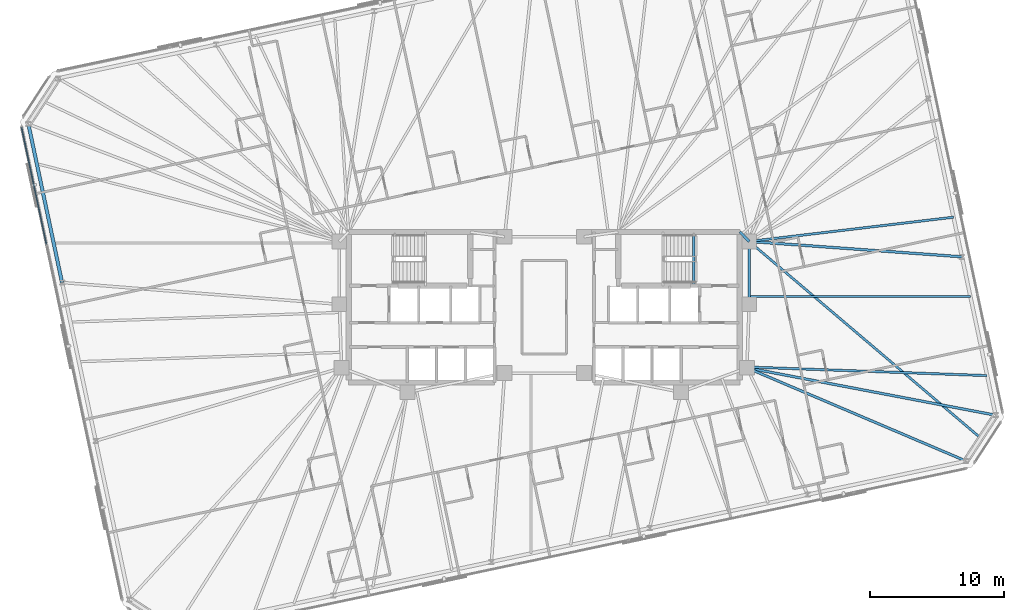
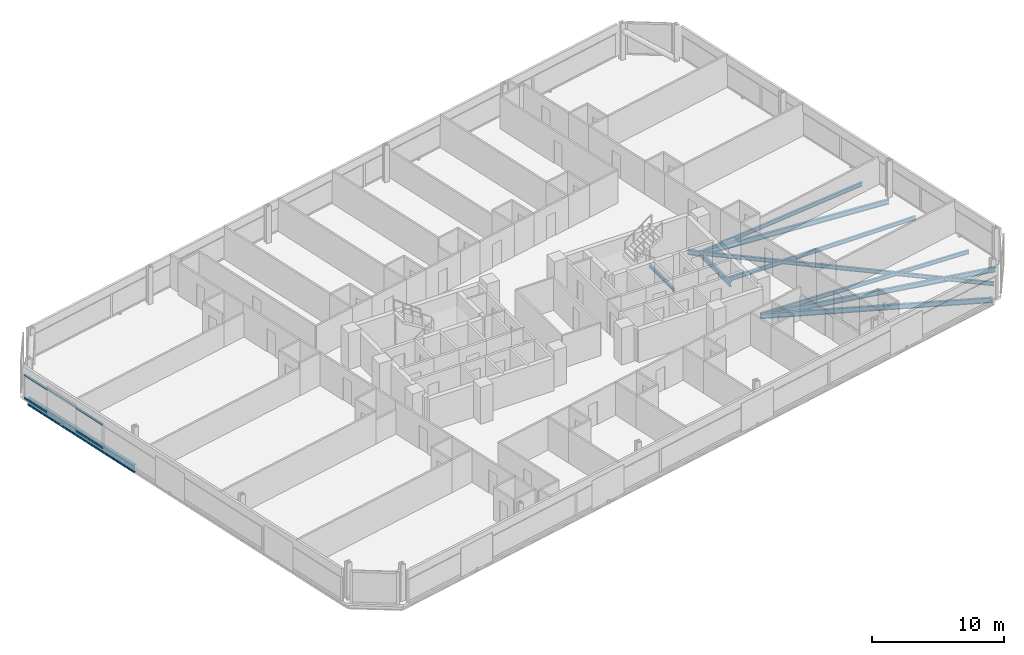
# One storey, part 8 of 20: 11 beams, 2 members, 1 element without a shape of its own.
"""IFC4 building model written with IfcOpenShell, lengths in metres."""

from ifc_helpers import new_model, si_unit, direction, frame, origin, origin_2d, place, context, subcontext, project, spatial, rectangle, i_section, extrude, material, material_profile, profile_set, type_object, element, aggregate, save


model = new_model("IFC4")

# Units and contexts
model_context = context("Model", 3, precision=1e-05, world=origin(), true_north=direction((0.0, 1.0)))
body_context = subcontext(model_context, "Body", "Model", "MODEL_VIEW")
ifc_project = project(units=[si_unit("LENGTHUNIT", "METRE"), si_unit("AREAUNIT", "SQUARE_METRE"), si_unit("VOLUMEUNIT", "CUBIC_METRE"), si_unit("PLANEANGLEUNIT", "RADIAN"), si_unit("MASSUNIT", "GRAM", prefix="KILO")], contexts=[model_context])

# Site, building, storey
site_placement = place(None, origin())
site = spatial("IfcSite", under=ifc_project, at=site_placement, CompositionType="ELEMENT")
building_placement = place(site_placement, origin())
building = spatial("IfcBuilding", under=site, at=building_placement, Name="Menara Jurai Vektor", CompositionType="ELEMENT")
storey_placement = place(building_placement, frame((0.0, 0.0, 199.0)))
storey = spatial("IfcBuildingStorey", under=building, at=storey_placement, Name="L52", CompositionType="ELEMENT", Elevation=199.0)

# Curtain wall, members
ifc_material_1 = material(Name="Anodised Pale Aluminium & Low-E Double Glazing", Category="aluminium")
curtain_wall_type = type_object("IfcCurtainWallType", Name="CW-BLK3", PredefinedType="NOTDEFINED", material=ifc_material_1)
curtain_wall_placement = place(storey_placement, origin())
curtain_wall = element("IfcCurtainWall", 1, at=curtain_wall_placement, inside=storey, type_object=curtain_wall_type, Name="Unitised Curtain Wall L52 F07", PredefinedType="NOTDEFINED")
ifc_material_2 = material(Name="Anodised Pale Aluminium Transom", Category="aluminium")
ifc_material_profile_1 = material_profile(ifc_material_2, rectangle(XDim=0.0849609375, YDim=0.175048828125, at=origin_2d()), Name="ALU TRN 85x175")
ifc_profile_set_1 = profile_set([ifc_material_profile_1], Name="Anodised Pale Aluminium Transom")
member_type = type_object("IfcMemberType", Name="CW-BLK3-TRN", PredefinedType="USERDEFINED", material=ifc_profile_set_1)
member_1_placement = place(storey_placement, frame((-38.896728515625, 13.378173828125, 0.04248046875), z_axis=(0.207899517354, -0.978150188204, 0.0), x_axis=(0.978150188204, 0.207899517354, 0.0)))
member_1 = element("IfcMember", 2, at=member_1_placement, type_object=member_type, Name="CW-03 transom 1.1", ObjectType="TRANSOM", PredefinedType="USERDEFINED", context=body_context, shape_type="SweptSolid", body=[
    extrude(rectangle(XDim=0.0849609375, YDim=0.175048828125, at=origin_2d()), origin(), (0.0, 0.0, 1.0), 8.882568359375),
])
member_2_placement = place(storey_placement, frame((-38.896728515625, 13.378173828125, 2.1826171875), z_axis=(0.207899517354, -0.978150188204, 0.0), x_axis=(0.978150188204, 0.207899517354, 0.0)))
member_2 = element("IfcMember", 3, at=member_2_placement, type_object=member_type, Name="CW-03 transom 1.2", ObjectType="TRANSOM", PredefinedType="USERDEFINED", context=body_context, shape_type="SweptSolid", body=[
    extrude(rectangle(XDim=0.0849609375, YDim=0.175048828125, at=origin_2d()), origin(), (0.0, 0.0, 1.0), 8.882568359375),
])
aggregate(curtain_wall, [member_1, member_2])

# Beams
ifc_material_3 = material(Name="Steel S355", Category="steel")
ifc_material_profile_2 = material_profile(ifc_material_3, i_section(OverallWidth=0.19091796875, OverallDepth=0.4599609375, WebThickness=0.010009765625, FlangeThickness=0.01611328125, FilletRadius=0.010009765625, at=origin_2d()), Name="UKB 457x191x82")
ifc_profile_set_2 = profile_set([ifc_material_profile_2], Name="Steel S355")
beam_type_1 = type_object("IfcBeamType", Name="STR-BM-457", PredefinedType="BEAM", material=ifc_profile_set_2)
beam_1_placement = place(storey_placement, frame((14.56005859375, 5.60009765625, -0.455078125), z_axis=(0.701871936926, -0.712303154672, 0.0), x_axis=(0.712303154672, 0.701871936926, 0.0)))
element("IfcBeam", 4, at=beam_1_placement, inside=storey, type_object=beam_type_1, Name="Core Ring Header Girder L52-CHE-N2", PredefinedType="BEAM", context=body_context, shape_type="SweptSolid", body=[
    extrude(i_section(OverallWidth=0.19091796875, OverallDepth=0.4599609375, WebThickness=0.010009765625, FlangeThickness=0.01611328125, FilletRadius=0.010009765625, at=origin_2d()), origin(), (0.0, 0.0, 1.0), 0.98291015625),
])
beam_2_placement = place(storey_placement, frame((15.25, 0.219970703125, -0.455078125), z_axis=(0.0, 1.0, 0.0), x_axis=(-1.0, 0.0, 0.0)))
element("IfcBeam", 5, at=beam_2_placement, inside=storey, type_object=beam_type_1, Name="Core Ring Header Girder L52-CHE-E1", PredefinedType="BEAM", context=body_context, shape_type="SweptSolid", body=[
    extrude(i_section(OverallWidth=0.19091796875, OverallDepth=0.4599609375, WebThickness=0.010009765625, FlangeThickness=0.01611328125, FilletRadius=0.010009765625, at=origin_2d()), origin(), (0.0, 0.0, 1.0), 4.679931640625),
])
beam_3_placement = place(storey_placement, frame((31.376220703125, -11.438720703125, -0.455078125), z_axis=(-0.920069342045, 0.391755543458, 0.0), x_axis=(-0.391755543458, -0.920069342045, 0.0)))
element("IfcBeam", 6, at=beam_3_placement, inside=storey, type_object=beam_type_1, Name="Radial Floor Girder L52-S6", PredefinedType="BEAM", context=body_context, shape_type="SweptSolid", body=[
    extrude(i_section(OverallWidth=0.19091796875, OverallDepth=0.4599609375, WebThickness=0.010009765625, FlangeThickness=0.01611328125, FilletRadius=0.010009765625, at=origin_2d()), origin(), (0.0, 0.0, 1.0), 17.7119140625),
])
beam_4_placement = place(storey_placement, frame((33.588623046875, -8.031982421875, -0.455078125), z_axis=(-0.982274660407, 0.187447303322, 0.0), x_axis=(-0.187447303322, -0.982274660407, 0.0)))
element("IfcBeam", 7, at=beam_4_placement, inside=storey, type_object=beam_type_1, Name="Radial Floor Girder L52-E1", PredefinedType="BEAM", context=body_context, shape_type="SweptSolid", body=[
    extrude(i_section(OverallWidth=0.19091796875, OverallDepth=0.4599609375, WebThickness=0.010009765625, FlangeThickness=0.01611328125, FilletRadius=0.010009765625, at=origin_2d()), origin(), (0.0, 0.0, 1.0), 18.842529296875),
])
beam_5_placement = place(storey_placement, frame((31.082763671875, 3.75634765625, -0.455078125), z_axis=(-0.997401783921, 0.072039443584, 0.0), x_axis=(-0.072039443584, -0.997401783921, 0.0)))
element("IfcBeam", 8, at=beam_5_placement, inside=storey, type_object=beam_type_1, Name="Radial Floor Girder L52-E2", PredefinedType="BEAM", context=body_context, shape_type="SweptSolid", body=[
    extrude(i_section(OverallWidth=0.19091796875, OverallDepth=0.4599609375, WebThickness=0.010009765625, FlangeThickness=0.01611328125, FilletRadius=0.010009765625, at=origin_2d()), origin(), (0.0, 0.0, 1.0), 15.8740234375),
])
ifc_material_profile_3 = material_profile(ifc_material_3, i_section(OverallWidth=0.172119140625, OverallDepth=0.35498046875, WebThickness=0.007080078125, FlangeThickness=0.011962890625, FilletRadius=0.010009765625, at=origin_2d()), Name="UKB 356x171x51")
ifc_profile_set_3 = profile_set([ifc_material_profile_3], Name="Steel S355")
beam_type_2 = type_object("IfcBeamType", Name="STR-JS-356", PredefinedType="JOIST", material=ifc_profile_set_3)
beam_6_placement = place(storey_placement, frame((32.482421875, -9.7353515625, -0.402587890625), z_axis=(-0.762207822165, 0.6473323998, 0.0), x_axis=(-0.6473323998, -0.762207822165, 0.0)))
element("IfcBeam", 9, at=beam_6_placement, inside=storey, type_object=beam_type_2, Name="Radial Secondary Floor Joist L52-JS10", PredefinedType="JOIST", context=body_context, shape_type="SweptSolid", body=[
    extrude(i_section(OverallWidth=0.172119140625, OverallDepth=0.35498046875, WebThickness=0.007080078125, FlangeThickness=0.011962890625, FilletRadius=0.010009765625, at=origin_2d()), origin(), (0.0, 0.0, 1.0), 22.608642578125),
])
beam_7_placement = place(storey_placement, frame((32.962158203125, -5.0849609375, -0.402587890625), z_axis=(-0.999351908775, 0.035996700238, 0.0), x_axis=(-0.035996700238, -0.999351908775, 0.0)))
element("IfcBeam", 10, at=beam_7_placement, inside=storey, type_object=beam_type_2, Name="Radial Secondary Floor Joist L52-JS11", PredefinedType="JOIST", context=body_context, shape_type="SweptSolid", body=[
    extrude(i_section(OverallWidth=0.172119140625, OverallDepth=0.35498046875, WebThickness=0.007080078125, FlangeThickness=0.011962890625, FilletRadius=0.010009765625, at=origin_2d()), origin(), (0.0, 0.0, 1.0), 17.8916015625),
])
beam_8_placement = place(storey_placement, frame((31.709228515625, 0.809326171875, -0.402587890625), z_axis=(-1.0, 0.0, 0.0), x_axis=(0.0, -1.0, 0.0)))
element("IfcBeam", 11, at=beam_8_placement, inside=storey, type_object=beam_type_2, Name="Radial Secondary Floor Joist L52-JS12", PredefinedType="JOIST", context=body_context, shape_type="SweptSolid", body=[
    extrude(i_section(OverallWidth=0.172119140625, OverallDepth=0.35498046875, WebThickness=0.007080078125, FlangeThickness=0.011962890625, FilletRadius=0.010009765625, at=origin_2d()), origin(), (0.0, 0.0, 1.0), 16.459228515625),
])
beam_9_placement = place(storey_placement, frame((30.456298828125, 6.70361328125, -0.402587890625), z_axis=(-0.993038492178, -0.11779029269, 0.0), x_axis=(0.11779029269, -0.993038492178, 0.0)))
element("IfcBeam", 12, at=beam_9_placement, inside=storey, type_object=beam_type_2, Name="Radial Secondary Floor Joist L52-JS13", PredefinedType="JOIST", context=body_context, shape_type="SweptSolid", body=[
    extrude(i_section(OverallWidth=0.172119140625, OverallDepth=0.35498046875, WebThickness=0.007080078125, FlangeThickness=0.011962890625, FilletRadius=0.010009765625, at=origin_2d()), origin(), (0.0, 0.0, 1.0), 15.31298828125),
])
ifc_material_profile_4 = material_profile(ifc_material_3, i_section(OverallWidth=0.1650390625, OverallDepth=0.302978515625, WebThickness=0.006103515625, FlangeThickness=0.010009765625, FilletRadius=0.009033203125, at=origin_2d()), Name="UKB 305x165x40")
ifc_profile_set_4 = profile_set([ifc_material_profile_4], Name="Steel S355")
beam_type_3 = type_object("IfcBeamType", Name="STR-LN-305", PredefinedType="LINTEL", material=ifc_profile_set_4)
beam_10_placement = place(storey_placement, frame((11.1201171875, 1.60009765625, -0.37646484375), z_axis=(0.0, 1.0, 0.0), x_axis=(-1.0, 0.0, 0.0)))
element("IfcBeam", 13, at=beam_10_placement, inside=storey, type_object=beam_type_3, Name="Stair Well Floor Trimmer ST2 L52", PredefinedType="LINTEL", context=body_context, shape_type="SweptSolid", body=[
    extrude(i_section(OverallWidth=0.1650390625, OverallDepth=0.302978515625, WebThickness=0.006103515625, FlangeThickness=0.010009765625, FilletRadius=0.009033203125, at=origin_2d()), origin(), (0.0, 0.0, 1.0), 3.81982421875),
])
ifc_material_4 = material(Name="Steel S460", Category="steel")
ifc_material_profile_5 = material_profile(ifc_material_4, i_section(OverallWidth=0.256103515625, OverallDepth=0.693115234375, WebThickness=0.013916015625, FlangeThickness=0.02392578125, FilletRadius=0.014892578125, at=origin_2d()), Name="UKB 686x254x170")
ifc_profile_set_5 = profile_set([ifc_material_profile_5], Name="Steel S460")
beam_type_4 = type_object("IfcBeamType", Name="STR-SP-686", PredefinedType="SPANDREL", material=ifc_profile_set_5)
beam_11_placement = place(storey_placement, frame((-38.388671875, 13.632080078125, -0.571533203125), z_axis=(0.207921262698, -0.978145566119, 0.0), x_axis=(0.978145566119, 0.207921262698, 0.0)))
element("IfcBeam", 14, at=beam_11_placement, inside=storey, type_object=beam_type_4, Name="Exoskeleton Spandrel Beam L52-17", PredefinedType="SPANDREL", context=body_context, shape_type="SweptSolid", body=[
    extrude(i_section(OverallWidth=0.256103515625, OverallDepth=0.693115234375, WebThickness=0.013916015625, FlangeThickness=0.02392578125, FilletRadius=0.014892578125, at=origin_2d()), origin(), (0.0, 0.0, 1.0), 12.052001953125),
])

save(model, "model.ifc")
